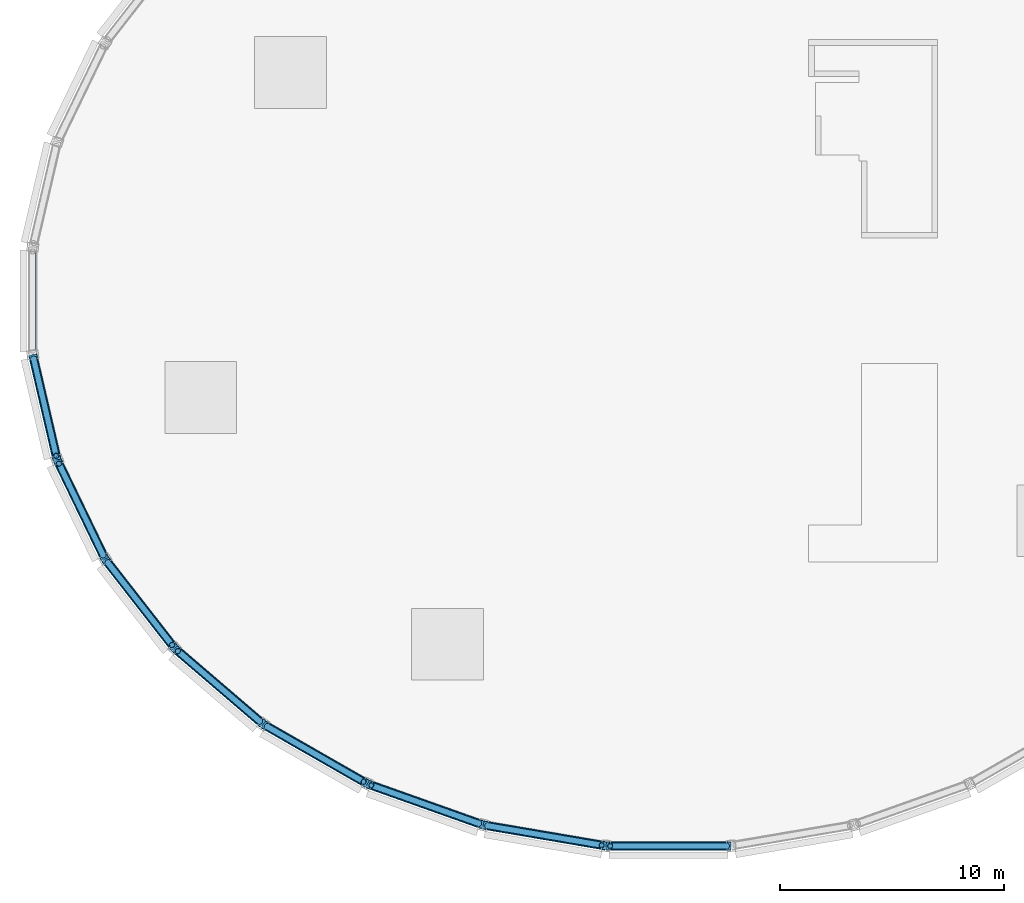
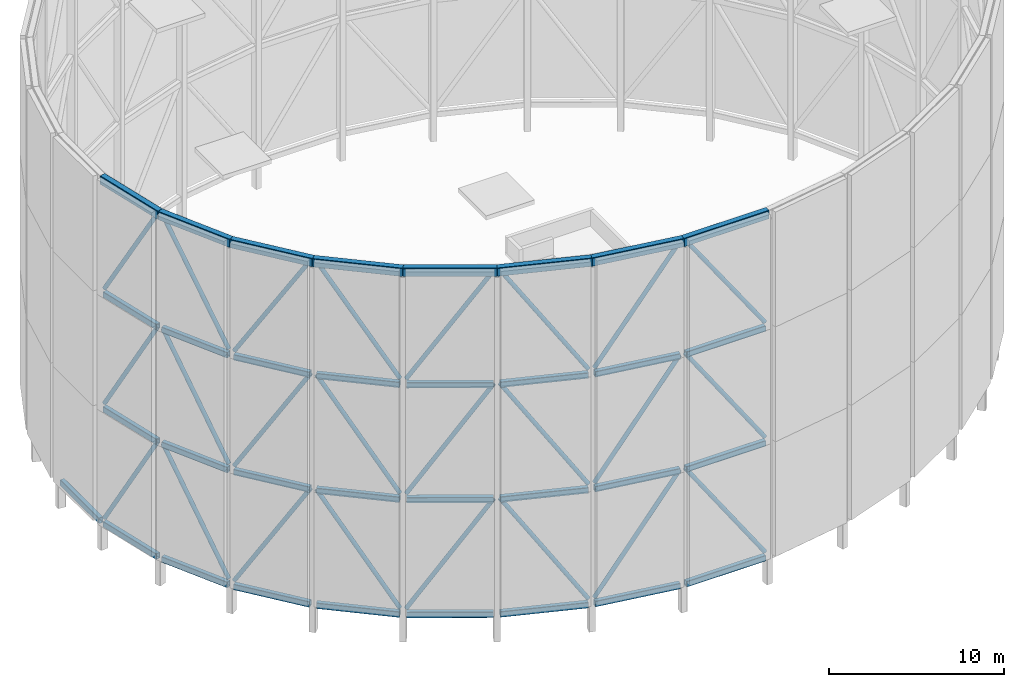
# One storey, part 3 of 8: 33 beams, 24 members.
"""IFC4 building model written with IfcOpenShell, lengths in metres."""

from ifc_helpers import new_model, si_unit, direction, frame, origin, origin_2d, place, context, subcontext, project, spatial, hollow_rectangle, hollow_circle, extrude, material, material_profile, profile_set, type_object, element, save


model = new_model("IFC4")

# Units and contexts
model_context = context("Model", 3, precision=1e-05, world=origin(), true_north=direction((0.0, 1.0)))
body_context = subcontext(model_context, "Body", "Model", "MODEL_VIEW")
ifc_project = project(units=[si_unit("LENGTHUNIT", "METRE"), si_unit("AREAUNIT", "SQUARE_METRE"), si_unit("VOLUMEUNIT", "CUBIC_METRE"), si_unit("PLANEANGLEUNIT", "RADIAN"), si_unit("MASSUNIT", "GRAM", prefix="KILO")], contexts=[model_context])

# Site, building, storey
site_placement = place(None, origin())
site = spatial("IfcSite", under=ifc_project, at=site_placement, CompositionType="ELEMENT")
building_placement = place(site_placement, origin())
building = spatial("IfcBuilding", under=site, at=building_placement, Name="Halqa Exchange Tower", CompositionType="ELEMENT")
storey_placement = place(building_placement, frame((0.0, 0.0, 355.300048828125)))
storey = spatial("IfcBuildingStorey", under=building, at=storey_placement, Name="Roof level crown frame", CompositionType="ELEMENT", Elevation=355.300048828125)

# Members
ifc_material = material(Name="Steel S355", Category="steel")
ifc_material_profile_1 = material_profile(ifc_material, hollow_circle(Radius=0.136474609375, WallThickness=0.01611328125, at=origin_2d()), Name="CHS 273x16")
ifc_profile_set_1 = profile_set([ifc_material_profile_1], Name="Steel S355")
member_type = type_object("IfcMemberType", Name="CROWN FRAME brace CHS 273x16", PredefinedType="BRACE", material=ifc_profile_set_1)
member_1_placement = place(storey_placement, frame((-28.31982421875, -2.57958984375, 2.199951171875), z_axis=(0.114045514436, -0.491488463358, 0.86338445146), x_axis=(0.974119033912, 0.22603563385, 0.0)))
element("IfcMember", 1, at=member_1_placement, inside=storey, type_object=member_type, Name="Crown frame brace 2.17", PredefinedType="BRACE", context=body_context, shape_type="SweptSolid", body=[
    extrude(hollow_circle(Radius=0.136474609375, WallThickness=0.01611328125, at=origin_2d()), origin(), (0.0, 0.0, 1.0), 8.802734375),
])
member_2_placement = place(storey_placement, frame((-27.190185546875, -7.26220703125, 9.800048828125), z_axis=(0.222905657614, -0.461287809526, -0.85879370316), x_axis=(0.900387276879, 0.435089360516, 0.0)))
element("IfcMember", 2, at=member_2_placement, inside=storey, type_object=member_type, Name="Crown frame brace 2.18", PredefinedType="BRACE", context=body_context, shape_type="SweptSolid", body=[
    extrude(hollow_circle(Radius=0.136474609375, WallThickness=0.01611328125, at=origin_2d()), origin(), (0.0, 0.0, 1.0), 8.849853515625),
])
member_3_placement = place(storey_placement, frame((-25.01806640625, -11.665283203125, 2.199951171875), z_axis=(0.32180529833, -0.412815132212, 0.852071016162), x_axis=(0.788678776102, 0.614805488041, 0.0)))
element("IfcMember", 3, at=member_3_placement, inside=storey, type_object=member_type, Name="Crown frame brace 2.19", PredefinedType="BRACE", context=body_context, shape_type="SweptSolid", body=[
    extrude(hollow_circle(Radius=0.136474609375, WallThickness=0.01611328125, at=origin_2d()), origin(), (0.0, 0.0, 1.0), 8.919677734375),
])
member_4_placement = place(storey_placement, frame((-21.886474609375, -15.62109375, 9.800048828125), z_axis=(0.406814817738, -0.34871778863, -0.844332640588), x_axis=(0.650812216448, 0.759238736447, 0.0)))
element("IfcMember", 4, at=member_4_placement, inside=storey, type_object=member_type, Name="Crown frame brace 2.20", PredefinedType="BRACE", context=body_context, shape_type="SweptSolid", body=[
    extrude(hollow_circle(Radius=0.136474609375, WallThickness=0.01611328125, at=origin_2d()), origin(), (0.0, 0.0, 1.0), 9.001220703125),
])
member_5_placement = place(storey_placement, frame((-17.915283203125, -18.97802734375, 2.199951171875), z_axis=(0.475152360308, -0.27213002748, 0.836764890897), x_axis=(0.496984556947, 0.867759384943, 0.0)))
element("IfcMember", 5, at=member_5_placement, inside=storey, type_object=member_type, Name="Crown frame brace 2.21", PredefinedType="BRACE", context=body_context, shape_type="SweptSolid", body=[
    extrude(hollow_circle(Radius=0.136474609375, WallThickness=0.01611328125, at=origin_2d()), origin(), (0.0, 0.0, 1.0), 9.082763671875),
])
member_6_placement = place(storey_placement, frame((-13.255615234375, -21.607666015625, 9.800048828125), z_axis=(0.52490509772, -0.186351314235, -0.830510581552), x_axis=(0.334560791797, 0.942374170164, 0.0)))
element("IfcMember", 6, at=member_6_placement, inside=storey, type_object=member_type, Name="Crown frame brace 2.22", PredefinedType="BRACE", context=body_context, shape_type="SweptSolid", body=[
    extrude(hollow_circle(Radius=0.136474609375, WallThickness=0.01611328125, at=origin_2d()), origin(), (0.0, 0.0, 1.0), 9.151123046875),
])
member_7_placement = place(storey_placement, frame((-8.085693359375, -23.40869140625, 2.199951171875), z_axis=(0.555086491161, -0.094638132042, 0.826391318501), x_axis=(0.168067416098, 0.985775503675, 0.0)))
element("IfcMember", 7, at=member_7_placement, inside=storey, type_object=member_type, Name="Crown frame brace 2.23", PredefinedType="BRACE", context=body_context, shape_type="SweptSolid", body=[
    extrude(hollow_circle(Radius=0.136474609375, WallThickness=0.01611328125, at=origin_2d()), origin(), (0.0, 0.0, 1.0), 9.19677734375),
])
member_8_placement = place(storey_placement, frame((-2.603515625, -24.31103515625, 9.800048828125), z_axis=(0.565198711806, 0.0, -0.824954796442), x_axis=(0.0, 1.0, 0.0)))
element("IfcMember", 8, at=member_8_placement, inside=storey, type_object=member_type, Name="Crown frame brace 2.24", PredefinedType="BRACE", context=body_context, shape_type="SweptSolid", body=[
    extrude(hollow_circle(Radius=0.136474609375, WallThickness=0.01611328125, at=origin_2d()), origin(), (0.0, 0.0, 1.0), 9.212646484375),
])
member_9_placement = place(storey_placement, frame((-28.31982421875, -2.57958984375, 10.199951171875), z_axis=(0.114045514436, -0.491488463358, 0.86338445146), x_axis=(0.974119033912, 0.22603563385, 0.0)))
element("IfcMember", 9, at=member_9_placement, inside=storey, type_object=member_type, Name="Crown frame brace 3.17", PredefinedType="BRACE", context=body_context, shape_type="SweptSolid", body=[
    extrude(hollow_circle(Radius=0.136474609375, WallThickness=0.01611328125, at=origin_2d()), origin(), (0.0, 0.0, 1.0), 8.802734375),
])
member_10_placement = place(storey_placement, frame((-27.190185546875, -7.26220703125, 17.800048828125), z_axis=(0.222905657614, -0.461287809526, -0.85879370316), x_axis=(0.900387276879, 0.435089360516, 0.0)))
element("IfcMember", 10, at=member_10_placement, inside=storey, type_object=member_type, Name="Crown frame brace 3.18", PredefinedType="BRACE", context=body_context, shape_type="SweptSolid", body=[
    extrude(hollow_circle(Radius=0.136474609375, WallThickness=0.01611328125, at=origin_2d()), origin(), (0.0, 0.0, 1.0), 8.849853515625),
])
member_11_placement = place(storey_placement, frame((-25.01806640625, -11.665283203125, 10.199951171875), z_axis=(0.32180529833, -0.412815132212, 0.852071016162), x_axis=(0.788678776102, 0.614805488041, 0.0)))
element("IfcMember", 11, at=member_11_placement, inside=storey, type_object=member_type, Name="Crown frame brace 3.19", PredefinedType="BRACE", context=body_context, shape_type="SweptSolid", body=[
    extrude(hollow_circle(Radius=0.136474609375, WallThickness=0.01611328125, at=origin_2d()), origin(), (0.0, 0.0, 1.0), 8.919677734375),
])
member_12_placement = place(storey_placement, frame((-21.886474609375, -15.62109375, 17.800048828125), z_axis=(0.406814817738, -0.34871778863, -0.844332640588), x_axis=(0.650812216448, 0.759238736447, 0.0)))
element("IfcMember", 12, at=member_12_placement, inside=storey, type_object=member_type, Name="Crown frame brace 3.20", PredefinedType="BRACE", context=body_context, shape_type="SweptSolid", body=[
    extrude(hollow_circle(Radius=0.136474609375, WallThickness=0.01611328125, at=origin_2d()), origin(), (0.0, 0.0, 1.0), 9.001220703125),
])
member_13_placement = place(storey_placement, frame((-17.915283203125, -18.97802734375, 10.199951171875), z_axis=(0.475152360308, -0.27213002748, 0.836764890897), x_axis=(0.496984556947, 0.867759384943, 0.0)))
element("IfcMember", 13, at=member_13_placement, inside=storey, type_object=member_type, Name="Crown frame brace 3.21", PredefinedType="BRACE", context=body_context, shape_type="SweptSolid", body=[
    extrude(hollow_circle(Radius=0.136474609375, WallThickness=0.01611328125, at=origin_2d()), origin(), (0.0, 0.0, 1.0), 9.082763671875),
])
member_14_placement = place(storey_placement, frame((-13.255615234375, -21.607666015625, 17.800048828125), z_axis=(0.52490509772, -0.186351314235, -0.830510581552), x_axis=(0.334560791797, 0.942374170164, 0.0)))
element("IfcMember", 14, at=member_14_placement, inside=storey, type_object=member_type, Name="Crown frame brace 3.22", PredefinedType="BRACE", context=body_context, shape_type="SweptSolid", body=[
    extrude(hollow_circle(Radius=0.136474609375, WallThickness=0.01611328125, at=origin_2d()), origin(), (0.0, 0.0, 1.0), 9.151123046875),
])
member_15_placement = place(storey_placement, frame((-8.085693359375, -23.40869140625, 10.199951171875), z_axis=(0.555086491161, -0.094638132042, 0.826391318501), x_axis=(0.168067416098, 0.985775503675, 0.0)))
element("IfcMember", 15, at=member_15_placement, inside=storey, type_object=member_type, Name="Crown frame brace 3.23", PredefinedType="BRACE", context=body_context, shape_type="SweptSolid", body=[
    extrude(hollow_circle(Radius=0.136474609375, WallThickness=0.01611328125, at=origin_2d()), origin(), (0.0, 0.0, 1.0), 9.19677734375),
])
member_16_placement = place(storey_placement, frame((-2.603515625, -24.31103515625, 17.800048828125), z_axis=(0.565198711806, 0.0, -0.824954796442), x_axis=(0.0, 1.0, 0.0)))
element("IfcMember", 16, at=member_16_placement, inside=storey, type_object=member_type, Name="Crown frame brace 3.24", PredefinedType="BRACE", context=body_context, shape_type="SweptSolid", body=[
    extrude(hollow_circle(Radius=0.136474609375, WallThickness=0.01611328125, at=origin_2d()), origin(), (0.0, 0.0, 1.0), 9.212646484375),
])
member_17_placement = place(storey_placement, frame((-28.31982421875, -2.57958984375, 18.199951171875), z_axis=(0.115174356255, -0.496353299414, 0.860446552565), x_axis=(0.974119033912, 0.22603563385, 0.0)))
element("IfcMember", 17, at=member_17_placement, inside=storey, type_object=member_type, Name="Crown frame brace 4.17", PredefinedType="BRACE", context=body_context, shape_type="SweptSolid", body=[
    extrude(hollow_circle(Radius=0.136474609375, WallThickness=0.01611328125, at=origin_2d()), origin(), (0.0, 0.0, 1.0), 8.71630859375),
])
member_18_placement = place(storey_placement, frame((-27.190185546875, -7.26220703125, 25.699951171875), z_axis=(0.22508827003, -0.465804574651, -0.855781145462), x_axis=(0.900387276879, 0.435089360516, 0.0)))
element("IfcMember", 18, at=member_18_placement, inside=storey, type_object=member_type, Name="Crown frame brace 4.18", PredefinedType="BRACE", context=body_context, shape_type="SweptSolid", body=[
    extrude(hollow_circle(Radius=0.136474609375, WallThickness=0.01611328125, at=origin_2d()), origin(), (0.0, 0.0, 1.0), 8.763916015625),
])
member_19_placement = place(storey_placement, frame((-25.01806640625, -11.665283203125, 18.199951171875), z_axis=(0.324906448646, -0.416793319595, 0.848951782122), x_axis=(0.788678776102, 0.614805488041, 0.0)))
element("IfcMember", 19, at=member_19_placement, inside=storey, type_object=member_type, Name="Crown frame brace 4.19", PredefinedType="BRACE", context=body_context, shape_type="SweptSolid", body=[
    extrude(hollow_circle(Radius=0.136474609375, WallThickness=0.01611328125, at=origin_2d()), origin(), (0.0, 0.0, 1.0), 8.83447265625),
])
member_20_placement = place(storey_placement, frame((-21.886474609375, -15.62109375, 25.699951171875), z_axis=(0.410663287748, -0.352016660482, -0.841094486273), x_axis=(0.650812216448, 0.759238736447, 0.0)))
element("IfcMember", 20, at=member_20_placement, inside=storey, type_object=member_type, Name="Crown frame brace 4.20", PredefinedType="BRACE", context=body_context, shape_type="SweptSolid", body=[
    extrude(hollow_circle(Radius=0.136474609375, WallThickness=0.01611328125, at=origin_2d()), origin(), (0.0, 0.0, 1.0), 8.9169921875),
])
member_21_placement = place(storey_placement, frame((-17.915283203125, -18.97802734375, 18.199951171875), z_axis=(0.479565967415, -0.274657795673, 0.833414409627), x_axis=(0.496984556947, 0.867759384943, 0.0)))
element("IfcMember", 21, at=member_21_placement, inside=storey, type_object=member_type, Name="Crown frame brace 4.21", PredefinedType="BRACE", context=body_context, shape_type="SweptSolid", body=[
    extrude(hollow_circle(Radius=0.136474609375, WallThickness=0.01611328125, at=origin_2d()), origin(), (0.0, 0.0, 1.0), 8.9990234375),
])
member_22_placement = place(storey_placement, frame((-13.255615234375, -21.607666015625, 25.699951171875), z_axis=(0.529707235587, -0.188056164705, -0.827070204688), x_axis=(0.334560791797, 0.942374170164, 0.0)))
element("IfcMember", 22, at=member_22_placement, inside=storey, type_object=member_type, Name="Crown frame brace 4.22", PredefinedType="BRACE", context=body_context, shape_type="SweptSolid", body=[
    extrude(hollow_circle(Radius=0.136474609375, WallThickness=0.01611328125, at=origin_2d()), origin(), (0.0, 0.0, 1.0), 9.068115234375),
])
member_23_placement = place(storey_placement, frame((-8.085693359375, -23.40869140625, 18.199951171875), z_axis=(0.560113810766, -0.095495252768, 0.822893173923), x_axis=(0.168067416098, 0.985775503675, 0.0)))
element("IfcMember", 23, at=member_23_placement, inside=storey, type_object=member_type, Name="Crown frame brace 4.23", PredefinedType="BRACE", context=body_context, shape_type="SweptSolid", body=[
    extrude(hollow_circle(Radius=0.136474609375, WallThickness=0.01611328125, at=origin_2d()), origin(), (0.0, 0.0, 1.0), 9.1142578125),
])
member_24_placement = place(storey_placement, frame((-2.603515625, -24.31103515625, 25.699951171875), z_axis=(0.570299593571, 0.0, -0.821436773935), x_axis=(0.0, 1.0, 0.0)))
element("IfcMember", 24, at=member_24_placement, inside=storey, type_object=member_type, Name="Crown frame brace 4.24", PredefinedType="BRACE", context=body_context, shape_type="SweptSolid", body=[
    extrude(hollow_circle(Radius=0.136474609375, WallThickness=0.01611328125, at=origin_2d()), origin(), (0.0, 0.0, 1.0), 9.13037109375),
])

# Beams
ifc_material_profile_2 = material_profile(ifc_material, hollow_rectangle(XDim=0.39990234375, YDim=0.60009765625, WallThickness=0.02490234375, InnerFilletRadius=0.03759765625, OuterFilletRadius=0.050048828125, at=origin_2d()), Name="RHS 600x400x25")
ifc_profile_set_2 = profile_set([ifc_material_profile_2], Name="Steel S355")
beam_type_1 = type_object("IfcBeamType", Name="CROWN FRAME cap beam RHS 600x400x25", PredefinedType="BEAM", material=ifc_profile_set_2)
beam_1_placement = place(storey_placement, frame((-28.36279296875, -2.394287109375, 25.699951171875), z_axis=(0.226072226759, -0.97411054213, 0.0), x_axis=(0.97411054213, 0.226072226759, 0.0)))
element("IfcBeam", 25, at=beam_1_placement, inside=storey, type_object=beam_type_1, Name="Crown frame cap beam 4.17", PredefinedType="BEAM", context=body_context, shape_type="SweptSolid", body=[
    extrude(hollow_rectangle(XDim=0.39990234375, YDim=0.60009765625, WallThickness=0.02490234375, InnerFilletRadius=0.03759765625, OuterFilletRadius=0.050048828125, at=origin_2d()), origin(), (0.0, 0.0, 1.0), 4.82177734375),
])
beam_2_placement = place(storey_placement, frame((-27.272705078125, -7.09130859375, 25.699951171875), z_axis=(0.435089449645, -0.90038723381, 0.0), x_axis=(0.90038723381, 0.435089449645, 0.0)))
element("IfcBeam", 26, at=beam_2_placement, inside=storey, type_object=beam_type_1, Name="Crown frame cap beam 4.18", PredefinedType="BEAM", context=body_context, shape_type="SweptSolid", body=[
    extrude(hollow_rectangle(XDim=0.39990234375, YDim=0.60009765625, WallThickness=0.02490234375, InnerFilletRadius=0.03759765625, OuterFilletRadius=0.050048828125, at=origin_2d()), origin(), (0.0, 0.0, 1.0), 4.913818359375),
])
beam_3_placement = place(storey_placement, frame((-25.134765625, -11.515625, 25.699951171875), z_axis=(0.614820715009, -0.788666905858, 0.0), x_axis=(0.788666905858, 0.614820715009, 0.0)))
element("IfcBeam", 27, at=beam_3_placement, inside=storey, type_object=beam_type_1, Name="Crown frame cap beam 4.19", PredefinedType="BEAM", context=body_context, shape_type="SweptSolid", body=[
    extrude(hollow_rectangle(XDim=0.39990234375, YDim=0.60009765625, WallThickness=0.02490234375, InnerFilletRadius=0.03759765625, OuterFilletRadius=0.050048828125, at=origin_2d()), origin(), (0.0, 0.0, 1.0), 5.048583984375),
])
beam_4_placement = place(storey_placement, frame((-22.03076171875, -15.497314453125, 25.699951171875), z_axis=(0.759263226359, -0.650783645384, 0.0), x_axis=(0.650783645384, 0.759263226359, 0.0)))
element("IfcBeam", 28, at=beam_4_placement, inside=storey, type_object=beam_type_1, Name="Crown frame cap beam 4.20", PredefinedType="BEAM", context=body_context, shape_type="SweptSolid", body=[
    extrude(hollow_rectangle(XDim=0.39990234375, YDim=0.60009765625, WallThickness=0.02490234375, InnerFilletRadius=0.03759765625, OuterFilletRadius=0.050048828125, at=origin_2d()), origin(), (0.0, 0.0, 1.0), 5.203369140625),
])
beam_5_placement = place(storey_placement, frame((-18.080078125, -18.883544921875, 25.699951171875), z_axis=(0.867743142166, -0.497012916557, 0.0), x_axis=(0.497012916557, 0.867743142166, 0.0)))
element("IfcBeam", 29, at=beam_5_placement, inside=storey, type_object=beam_type_1, Name="Crown frame cap beam 4.21", PredefinedType="BEAM", context=body_context, shape_type="SweptSolid", body=[
    extrude(hollow_rectangle(XDim=0.39990234375, YDim=0.60009765625, WallThickness=0.02490234375, InnerFilletRadius=0.03759765625, OuterFilletRadius=0.050048828125, at=origin_2d()), origin(), (0.0, 0.0, 1.0), 5.353271484375),
])
beam_6_placement = place(storey_placement, frame((-13.434814453125, -21.544189453125, 25.699951171875), z_axis=(0.942371541637, -0.334568195607, 0.0), x_axis=(0.334568195607, 0.942371541637, 0.0)))
element("IfcBeam", 30, at=beam_6_placement, inside=storey, type_object=beam_type_1, Name="Crown frame cap beam 4.22", PredefinedType="BEAM", context=body_context, shape_type="SweptSolid", body=[
    extrude(hollow_rectangle(XDim=0.39990234375, YDim=0.60009765625, WallThickness=0.02490234375, InnerFilletRadius=0.03759765625, OuterFilletRadius=0.050048828125, at=origin_2d()), origin(), (0.0, 0.0, 1.0), 5.477294921875),
])
beam_7_placement = place(storey_placement, frame((-8.273193359375, -23.376708984375, 25.699951171875), z_axis=(0.985773365206, -0.168079958505, 0.0), x_axis=(0.168079958505, 0.985773365206, 0.0)))
element("IfcBeam", 31, at=beam_7_placement, inside=storey, type_object=beam_type_1, Name="Crown frame cap beam 4.23", PredefinedType="BEAM", context=body_context, shape_type="SweptSolid", body=[
    extrude(hollow_rectangle(XDim=0.39990234375, YDim=0.60009765625, WallThickness=0.02490234375, InnerFilletRadius=0.03759765625, OuterFilletRadius=0.050048828125, at=origin_2d()), origin(), (0.0, 0.0, 1.0), 5.558837890625),
])
beam_8_placement = place(storey_placement, frame((-2.79345703125, -24.31103515625, 25.699951171875), z_axis=(1.0, 0.0, 0.0), x_axis=(0.0, 1.0, 0.0)))
element("IfcBeam", 32, at=beam_8_placement, inside=storey, type_object=beam_type_1, Name="Crown frame cap beam 4.24", PredefinedType="BEAM", context=body_context, shape_type="SweptSolid", body=[
    extrude(hollow_rectangle(XDim=0.39990234375, YDim=0.60009765625, WallThickness=0.02490234375, InnerFilletRadius=0.03759765625, OuterFilletRadius=0.050048828125, at=origin_2d()), origin(), (0.0, 0.0, 1.0), 5.5869140625),
])
ifc_material_profile_3 = material_profile(ifc_material, hollow_rectangle(XDim=0.300048828125, YDim=0.39990234375, WallThickness=0.01611328125, InnerFilletRadius=0.02392578125, OuterFilletRadius=0.031982421875, at=origin_2d()), Name="RHS 400x300x16")
ifc_profile_set_3 = profile_set([ifc_material_profile_3], Name="Steel S355")
beam_type_2 = type_object("IfcBeamType", Name="CROWN FRAME ring beam RHS 400x300x16", PredefinedType="BEAM", material=ifc_profile_set_3)
beam_9_placement = place(storey_placement, frame((-28.36279296875, 2.204345703125, 1.800048828125), z_axis=(0.0, -1.0, 0.0), x_axis=(1.0, 0.0, 0.0)))
element("IfcBeam", 33, at=beam_9_placement, inside=storey, type_object=beam_type_2, Name="Crown frame ring beam 1.16", PredefinedType="BEAM", context=body_context, shape_type="SweptSolid", body=[
    extrude(hollow_rectangle(XDim=0.300048828125, YDim=0.39990234375, WallThickness=0.01611328125, InnerFilletRadius=0.02392578125, OuterFilletRadius=0.031982421875, at=origin_2d()), origin(), (0.0, 0.0, 1.0), 4.40869140625),
])
beam_10_placement = place(storey_placement, frame((-28.31982421875, -2.57958984375, 1.800048828125), z_axis=(0.22603563385, -0.974119033912, 0.0), x_axis=(0.974119033912, 0.22603563385, 0.0)))
element("IfcBeam", 34, at=beam_10_placement, inside=storey, type_object=beam_type_2, Name="Crown frame ring beam 1.17", PredefinedType="BEAM", context=body_context, shape_type="SweptSolid", body=[
    extrude(hollow_rectangle(XDim=0.300048828125, YDim=0.39990234375, WallThickness=0.01611328125, InnerFilletRadius=0.02392578125, OuterFilletRadius=0.031982421875, at=origin_2d()), origin(), (0.0, 0.0, 1.0), 4.44140625),
])
beam_11_placement = place(storey_placement, frame((-27.190185546875, -7.26220703125, 1.800048828125), z_axis=(0.435089360516, -0.900387276879, 0.0), x_axis=(0.900387276879, 0.435089360516, 0.0)))
element("IfcBeam", 35, at=beam_11_placement, inside=storey, type_object=beam_type_2, Name="Crown frame ring beam 1.18", PredefinedType="BEAM", context=body_context, shape_type="SweptSolid", body=[
    extrude(hollow_rectangle(XDim=0.300048828125, YDim=0.39990234375, WallThickness=0.01611328125, InnerFilletRadius=0.02392578125, OuterFilletRadius=0.031982421875, at=origin_2d()), origin(), (0.0, 0.0, 1.0), 4.533935546875),
])
beam_12_placement = place(storey_placement, frame((-25.01806640625, -11.665283203125, 1.800048828125), z_axis=(0.614805488041, -0.788678776102, 0.0), x_axis=(0.788678776102, 0.614805488041, 0.0)))
element("IfcBeam", 36, at=beam_12_placement, inside=storey, type_object=beam_type_2, Name="Crown frame ring beam 1.19", PredefinedType="BEAM", context=body_context, shape_type="SweptSolid", body=[
    extrude(hollow_rectangle(XDim=0.300048828125, YDim=0.39990234375, WallThickness=0.01611328125, InnerFilletRadius=0.02392578125, OuterFilletRadius=0.031982421875, at=origin_2d()), origin(), (0.0, 0.0, 1.0), 4.668701171875),
])
beam_13_placement = place(storey_placement, frame((-21.886474609375, -15.62109375, 1.800048828125), z_axis=(0.759238736447, -0.650812216448, 0.0), x_axis=(0.650812216448, 0.759238736447, 0.0)))
element("IfcBeam", 37, at=beam_13_placement, inside=storey, type_object=beam_type_2, Name="Crown frame ring beam 1.20", PredefinedType="BEAM", context=body_context, shape_type="SweptSolid", body=[
    extrude(hollow_rectangle(XDim=0.300048828125, YDim=0.39990234375, WallThickness=0.01611328125, InnerFilletRadius=0.02392578125, OuterFilletRadius=0.031982421875, at=origin_2d()), origin(), (0.0, 0.0, 1.0), 4.822998046875),
])
beam_14_placement = place(storey_placement, frame((-17.915283203125, -18.97802734375, 1.800048828125), z_axis=(0.867759384943, -0.496984556947, 0.0), x_axis=(0.496984556947, 0.867759384943, 0.0)))
element("IfcBeam", 38, at=beam_14_placement, inside=storey, type_object=beam_type_2, Name="Crown frame ring beam 1.21", PredefinedType="BEAM", context=body_context, shape_type="SweptSolid", body=[
    extrude(hollow_rectangle(XDim=0.300048828125, YDim=0.39990234375, WallThickness=0.01611328125, InnerFilletRadius=0.02392578125, OuterFilletRadius=0.031982421875, at=origin_2d()), origin(), (0.0, 0.0, 1.0), 4.973388671875),
])
beam_15_placement = place(storey_placement, frame((-13.255615234375, -21.607666015625, 1.800048828125), z_axis=(0.942374170164, -0.334560791797, 0.0), x_axis=(0.334560791797, 0.942374170164, 0.0)))
element("IfcBeam", 39, at=beam_15_placement, inside=storey, type_object=beam_type_2, Name="Crown frame ring beam 1.22", PredefinedType="BEAM", context=body_context, shape_type="SweptSolid", body=[
    extrude(hollow_rectangle(XDim=0.300048828125, YDim=0.39990234375, WallThickness=0.01611328125, InnerFilletRadius=0.02392578125, OuterFilletRadius=0.031982421875, at=origin_2d()), origin(), (0.0, 0.0, 1.0), 5.09716796875),
])
beam_16_placement = place(storey_placement, frame((-8.085693359375, -23.40869140625, 1.800048828125), z_axis=(0.985775503675, -0.168067416098, 0.0), x_axis=(0.168067416098, 0.985775503675, 0.0)))
element("IfcBeam", 40, at=beam_16_placement, inside=storey, type_object=beam_type_2, Name="Crown frame ring beam 1.23", PredefinedType="BEAM", context=body_context, shape_type="SweptSolid", body=[
    extrude(hollow_rectangle(XDim=0.300048828125, YDim=0.39990234375, WallThickness=0.01611328125, InnerFilletRadius=0.02392578125, OuterFilletRadius=0.031982421875, at=origin_2d()), origin(), (0.0, 0.0, 1.0), 5.1787109375),
])
beam_17_placement = place(storey_placement, frame((-2.603515625, -24.31103515625, 1.800048828125), z_axis=(1.0, 0.0, 0.0), x_axis=(0.0, 1.0, 0.0)))
element("IfcBeam", 41, at=beam_17_placement, inside=storey, type_object=beam_type_2, Name="Crown frame ring beam 1.24", PredefinedType="BEAM", context=body_context, shape_type="SweptSolid", body=[
    extrude(hollow_rectangle(XDim=0.300048828125, YDim=0.39990234375, WallThickness=0.01611328125, InnerFilletRadius=0.02392578125, OuterFilletRadius=0.031982421875, at=origin_2d()), origin(), (0.0, 0.0, 1.0), 5.20703125),
])
beam_18_placement = place(storey_placement, frame((-28.31982421875, -2.57958984375, 9.800048828125), z_axis=(0.22603563385, -0.974119033912, 0.0), x_axis=(0.974119033912, 0.22603563385, 0.0)))
element("IfcBeam", 42, at=beam_18_placement, inside=storey, type_object=beam_type_2, Name="Crown frame ring beam 2.17", PredefinedType="BEAM", context=body_context, shape_type="SweptSolid", body=[
    extrude(hollow_rectangle(XDim=0.300048828125, YDim=0.39990234375, WallThickness=0.01611328125, InnerFilletRadius=0.02392578125, OuterFilletRadius=0.031982421875, at=origin_2d()), origin(), (0.0, 0.0, 1.0), 4.44140625),
])
beam_19_placement = place(storey_placement, frame((-27.190185546875, -7.26220703125, 9.800048828125), z_axis=(0.435089360516, -0.900387276879, 0.0), x_axis=(0.900387276879, 0.435089360516, 0.0)))
element("IfcBeam", 43, at=beam_19_placement, inside=storey, type_object=beam_type_2, Name="Crown frame ring beam 2.18", PredefinedType="BEAM", context=body_context, shape_type="SweptSolid", body=[
    extrude(hollow_rectangle(XDim=0.300048828125, YDim=0.39990234375, WallThickness=0.01611328125, InnerFilletRadius=0.02392578125, OuterFilletRadius=0.031982421875, at=origin_2d()), origin(), (0.0, 0.0, 1.0), 4.533935546875),
])
beam_20_placement = place(storey_placement, frame((-25.01806640625, -11.665283203125, 9.800048828125), z_axis=(0.614805488041, -0.788678776102, 0.0), x_axis=(0.788678776102, 0.614805488041, 0.0)))
element("IfcBeam", 44, at=beam_20_placement, inside=storey, type_object=beam_type_2, Name="Crown frame ring beam 2.19", PredefinedType="BEAM", context=body_context, shape_type="SweptSolid", body=[
    extrude(hollow_rectangle(XDim=0.300048828125, YDim=0.39990234375, WallThickness=0.01611328125, InnerFilletRadius=0.02392578125, OuterFilletRadius=0.031982421875, at=origin_2d()), origin(), (0.0, 0.0, 1.0), 4.668701171875),
])
beam_21_placement = place(storey_placement, frame((-21.886474609375, -15.62109375, 9.800048828125), z_axis=(0.759238736447, -0.650812216448, 0.0), x_axis=(0.650812216448, 0.759238736447, 0.0)))
element("IfcBeam", 45, at=beam_21_placement, inside=storey, type_object=beam_type_2, Name="Crown frame ring beam 2.20", PredefinedType="BEAM", context=body_context, shape_type="SweptSolid", body=[
    extrude(hollow_rectangle(XDim=0.300048828125, YDim=0.39990234375, WallThickness=0.01611328125, InnerFilletRadius=0.02392578125, OuterFilletRadius=0.031982421875, at=origin_2d()), origin(), (0.0, 0.0, 1.0), 4.822998046875),
])
beam_22_placement = place(storey_placement, frame((-17.915283203125, -18.97802734375, 9.800048828125), z_axis=(0.867759384943, -0.496984556947, 0.0), x_axis=(0.496984556947, 0.867759384943, 0.0)))
element("IfcBeam", 46, at=beam_22_placement, inside=storey, type_object=beam_type_2, Name="Crown frame ring beam 2.21", PredefinedType="BEAM", context=body_context, shape_type="SweptSolid", body=[
    extrude(hollow_rectangle(XDim=0.300048828125, YDim=0.39990234375, WallThickness=0.01611328125, InnerFilletRadius=0.02392578125, OuterFilletRadius=0.031982421875, at=origin_2d()), origin(), (0.0, 0.0, 1.0), 4.973388671875),
])
beam_23_placement = place(storey_placement, frame((-13.255615234375, -21.607666015625, 9.800048828125), z_axis=(0.942374170164, -0.334560791797, 0.0), x_axis=(0.334560791797, 0.942374170164, 0.0)))
element("IfcBeam", 47, at=beam_23_placement, inside=storey, type_object=beam_type_2, Name="Crown frame ring beam 2.22", PredefinedType="BEAM", context=body_context, shape_type="SweptSolid", body=[
    extrude(hollow_rectangle(XDim=0.300048828125, YDim=0.39990234375, WallThickness=0.01611328125, InnerFilletRadius=0.02392578125, OuterFilletRadius=0.031982421875, at=origin_2d()), origin(), (0.0, 0.0, 1.0), 5.09716796875),
])
beam_24_placement = place(storey_placement, frame((-8.085693359375, -23.40869140625, 9.800048828125), z_axis=(0.985775503675, -0.168067416098, 0.0), x_axis=(0.168067416098, 0.985775503675, 0.0)))
element("IfcBeam", 48, at=beam_24_placement, inside=storey, type_object=beam_type_2, Name="Crown frame ring beam 2.23", PredefinedType="BEAM", context=body_context, shape_type="SweptSolid", body=[
    extrude(hollow_rectangle(XDim=0.300048828125, YDim=0.39990234375, WallThickness=0.01611328125, InnerFilletRadius=0.02392578125, OuterFilletRadius=0.031982421875, at=origin_2d()), origin(), (0.0, 0.0, 1.0), 5.1787109375),
])
beam_25_placement = place(storey_placement, frame((-2.603515625, -24.31103515625, 9.800048828125), z_axis=(1.0, 0.0, 0.0), x_axis=(0.0, 1.0, 0.0)))
element("IfcBeam", 49, at=beam_25_placement, inside=storey, type_object=beam_type_2, Name="Crown frame ring beam 2.24", PredefinedType="BEAM", context=body_context, shape_type="SweptSolid", body=[
    extrude(hollow_rectangle(XDim=0.300048828125, YDim=0.39990234375, WallThickness=0.01611328125, InnerFilletRadius=0.02392578125, OuterFilletRadius=0.031982421875, at=origin_2d()), origin(), (0.0, 0.0, 1.0), 5.20703125),
])
beam_26_placement = place(storey_placement, frame((-28.31982421875, -2.57958984375, 17.800048828125), z_axis=(0.22603563385, -0.974119033912, 0.0), x_axis=(0.974119033912, 0.22603563385, 0.0)))
element("IfcBeam", 50, at=beam_26_placement, inside=storey, type_object=beam_type_2, Name="Crown frame ring beam 3.17", PredefinedType="BEAM", context=body_context, shape_type="SweptSolid", body=[
    extrude(hollow_rectangle(XDim=0.300048828125, YDim=0.39990234375, WallThickness=0.01611328125, InnerFilletRadius=0.02392578125, OuterFilletRadius=0.031982421875, at=origin_2d()), origin(), (0.0, 0.0, 1.0), 4.44140625),
])
beam_27_placement = place(storey_placement, frame((-27.190185546875, -7.26220703125, 17.800048828125), z_axis=(0.435089360516, -0.900387276879, 0.0), x_axis=(0.900387276879, 0.435089360516, 0.0)))
element("IfcBeam", 51, at=beam_27_placement, inside=storey, type_object=beam_type_2, Name="Crown frame ring beam 3.18", PredefinedType="BEAM", context=body_context, shape_type="SweptSolid", body=[
    extrude(hollow_rectangle(XDim=0.300048828125, YDim=0.39990234375, WallThickness=0.01611328125, InnerFilletRadius=0.02392578125, OuterFilletRadius=0.031982421875, at=origin_2d()), origin(), (0.0, 0.0, 1.0), 4.533935546875),
])
beam_28_placement = place(storey_placement, frame((-25.01806640625, -11.665283203125, 17.800048828125), z_axis=(0.614805488041, -0.788678776102, 0.0), x_axis=(0.788678776102, 0.614805488041, 0.0)))
element("IfcBeam", 52, at=beam_28_placement, inside=storey, type_object=beam_type_2, Name="Crown frame ring beam 3.19", PredefinedType="BEAM", context=body_context, shape_type="SweptSolid", body=[
    extrude(hollow_rectangle(XDim=0.300048828125, YDim=0.39990234375, WallThickness=0.01611328125, InnerFilletRadius=0.02392578125, OuterFilletRadius=0.031982421875, at=origin_2d()), origin(), (0.0, 0.0, 1.0), 4.668701171875),
])
beam_29_placement = place(storey_placement, frame((-21.886474609375, -15.62109375, 17.800048828125), z_axis=(0.759238736447, -0.650812216448, 0.0), x_axis=(0.650812216448, 0.759238736447, 0.0)))
element("IfcBeam", 53, at=beam_29_placement, inside=storey, type_object=beam_type_2, Name="Crown frame ring beam 3.20", PredefinedType="BEAM", context=body_context, shape_type="SweptSolid", body=[
    extrude(hollow_rectangle(XDim=0.300048828125, YDim=0.39990234375, WallThickness=0.01611328125, InnerFilletRadius=0.02392578125, OuterFilletRadius=0.031982421875, at=origin_2d()), origin(), (0.0, 0.0, 1.0), 4.822998046875),
])
beam_30_placement = place(storey_placement, frame((-17.915283203125, -18.97802734375, 17.800048828125), z_axis=(0.867759384943, -0.496984556947, 0.0), x_axis=(0.496984556947, 0.867759384943, 0.0)))
element("IfcBeam", 54, at=beam_30_placement, inside=storey, type_object=beam_type_2, Name="Crown frame ring beam 3.21", PredefinedType="BEAM", context=body_context, shape_type="SweptSolid", body=[
    extrude(hollow_rectangle(XDim=0.300048828125, YDim=0.39990234375, WallThickness=0.01611328125, InnerFilletRadius=0.02392578125, OuterFilletRadius=0.031982421875, at=origin_2d()), origin(), (0.0, 0.0, 1.0), 4.973388671875),
])
beam_31_placement = place(storey_placement, frame((-13.255615234375, -21.607666015625, 17.800048828125), z_axis=(0.942374170164, -0.334560791797, 0.0), x_axis=(0.334560791797, 0.942374170164, 0.0)))
element("IfcBeam", 55, at=beam_31_placement, inside=storey, type_object=beam_type_2, Name="Crown frame ring beam 3.22", PredefinedType="BEAM", context=body_context, shape_type="SweptSolid", body=[
    extrude(hollow_rectangle(XDim=0.300048828125, YDim=0.39990234375, WallThickness=0.01611328125, InnerFilletRadius=0.02392578125, OuterFilletRadius=0.031982421875, at=origin_2d()), origin(), (0.0, 0.0, 1.0), 5.09716796875),
])
beam_32_placement = place(storey_placement, frame((-8.085693359375, -23.40869140625, 17.800048828125), z_axis=(0.985775503675, -0.168067416098, 0.0), x_axis=(0.168067416098, 0.985775503675, 0.0)))
element("IfcBeam", 56, at=beam_32_placement, inside=storey, type_object=beam_type_2, Name="Crown frame ring beam 3.23", PredefinedType="BEAM", context=body_context, shape_type="SweptSolid", body=[
    extrude(hollow_rectangle(XDim=0.300048828125, YDim=0.39990234375, WallThickness=0.01611328125, InnerFilletRadius=0.02392578125, OuterFilletRadius=0.031982421875, at=origin_2d()), origin(), (0.0, 0.0, 1.0), 5.1787109375),
])
beam_33_placement = place(storey_placement, frame((-2.603515625, -24.31103515625, 17.800048828125), z_axis=(1.0, 0.0, 0.0), x_axis=(0.0, 1.0, 0.0)))
element("IfcBeam", 57, at=beam_33_placement, inside=storey, type_object=beam_type_2, Name="Crown frame ring beam 3.24", PredefinedType="BEAM", context=body_context, shape_type="SweptSolid", body=[
    extrude(hollow_rectangle(XDim=0.300048828125, YDim=0.39990234375, WallThickness=0.01611328125, InnerFilletRadius=0.02392578125, OuterFilletRadius=0.031982421875, at=origin_2d()), origin(), (0.0, 0.0, 1.0), 5.20703125),
])

save(model, "model.ifc")
